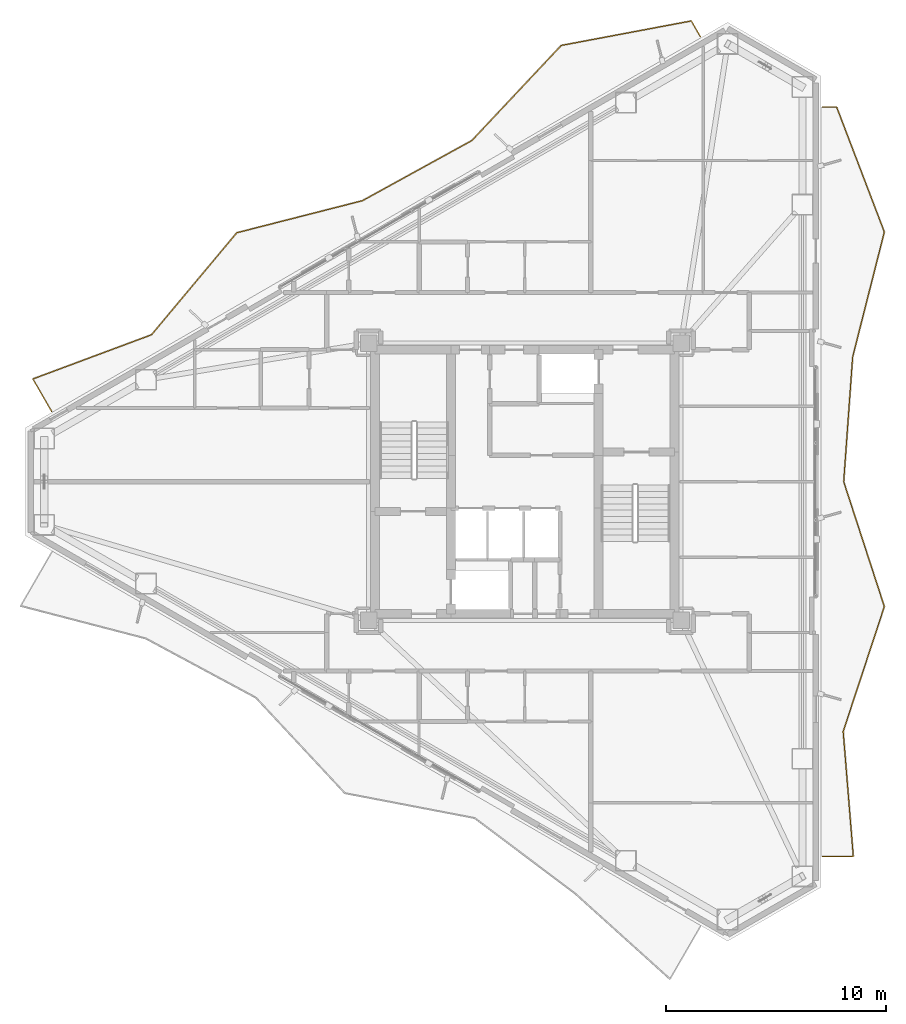
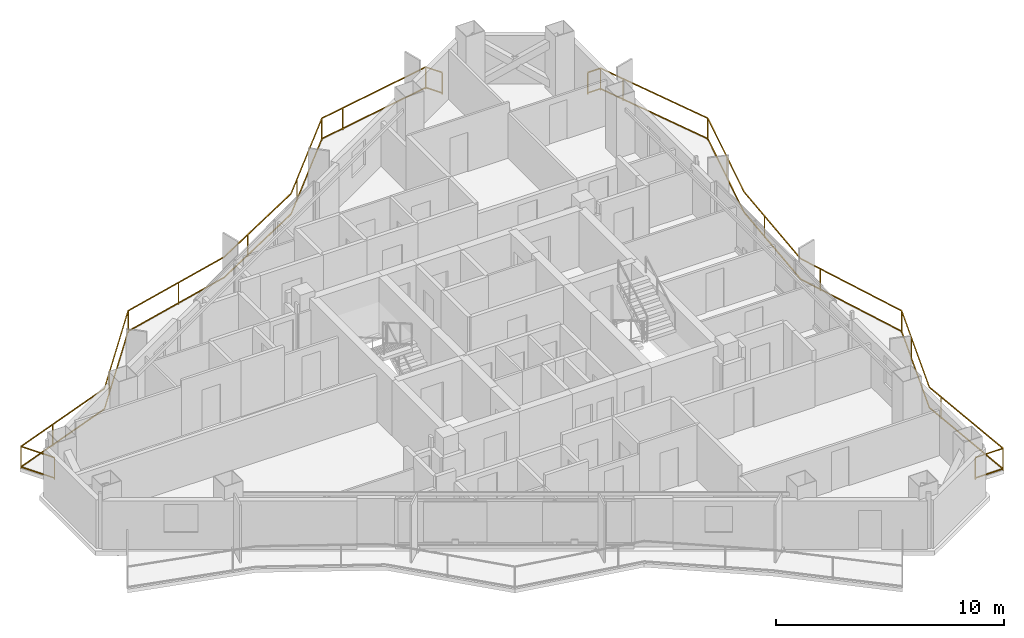
# One storey, part 18 of 18: 2 railings.
"""IFC4 building model written with IfcOpenShell, lengths in metres."""

from ifc_helpers import new_model, si_unit, direction, frame, origin, origin_2d, place, context, subcontext, project, spatial, rectangle, extrude, material, type_object, element, save


model = new_model("IFC4")

# Units and contexts
model_context = context("Model", 3, precision=1e-05, world=origin(), true_north=direction((0.0, 1.0)))
body_context = subcontext(model_context, "Body", "Model", "MODEL_VIEW")
ifc_project = project(units=[si_unit("LENGTHUNIT", "METRE"), si_unit("AREAUNIT", "SQUARE_METRE"), si_unit("VOLUMEUNIT", "CUBIC_METRE"), si_unit("PLANEANGLEUNIT", "RADIAN"), si_unit("MASSUNIT", "GRAM", prefix="KILO")], contexts=[model_context])

# Site, building, storey
site_placement = place(None, origin())
site = spatial("IfcSite", under=ifc_project, at=site_placement, CompositionType="ELEMENT")
building_placement = place(site_placement, origin())
building = spatial("IfcBuilding", under=site, at=building_placement, Name="Mersakhor Tower and Convention Hall", CompositionType="ELEMENT")
storey_placement = place(building_placement, frame((0.0, 0.0, 157.5)))
storey = spatial("IfcBuildingStorey", under=building, at=storey_placement, Name="L44", CompositionType="ELEMENT", Elevation=157.5)

# Railings
ifc_material = material(Name="Powder-coated galvanised steel and laminated glass balustrade", Category="steel")
railing_type = type_object("IfcRailingType", Name="RL-BAL-1200", PredefinedType="BALUSTRADE", material=ifc_material)
railing_1_placement = place(storey_placement, frame((36.983154296875, 46.969482421875, 0.0)))
element("IfcRailing", 1, at=railing_1_placement, inside=storey, type_object=railing_type, Name="L44 Sinusoidal Balcony Balustrade F1", PredefinedType="BALUSTRADE", context=body_context, shape_type="SweptSolid", body=[
    extrude(rectangle(XDim=0.048095703125, YDim=0.048095703125, at=origin_2d()), frame((0.0, 0.0, 1.17578125), z_axis=(-0.500002839747, 0.86602376425, 0.0), x_axis=(-0.86602376425, -0.500002839747, 0.0)), (0.0, 0.0, 1.0), 0.8291015625),
    extrude(rectangle(XDim=0.048095703125, YDim=0.048095703125, at=origin_2d()), frame((0.0, 0.0, 0.080078125), z_axis=(-0.500002839747, 0.86602376425, 0.0), x_axis=(-0.86602376425, -0.500002839747, 0.0)), (0.0, 0.0, 1.0), 0.8291015625),
    extrude(rectangle(XDim=0.048095703125, YDim=0.048095703125, at=origin_2d()), frame((-0.41455078125, 0.718017578125, 1.17578125), z_axis=(-0.982730805259, -0.18504098031, 0.0), x_axis=(0.18504098031, -0.982730805259, 0.0)), (0.0, 0.0, 1.0), 6.013671875),
    extrude(rectangle(XDim=0.048095703125, YDim=0.048095703125, at=origin_2d()), frame((-0.41455078125, 0.718017578125, 0.080078125), z_axis=(-0.982730805259, -0.18504098031, 0.0), x_axis=(0.18504098031, -0.982730805259, 0.0)), (0.0, 0.0, 1.0), 6.013671875),
    extrude(rectangle(XDim=0.048095703125, YDim=0.048095703125, at=origin_2d()), frame((-6.324462890625, -0.394775390625, 1.17578125), z_axis=(-0.6846628634, -0.728859906622, 0.0), x_axis=(0.728859906622, -0.6846628634, 0.0)), (0.0, 0.0, 1.0), 5.92724609375),
    extrude(rectangle(XDim=0.048095703125, YDim=0.048095703125, at=origin_2d()), frame((-6.324462890625, -0.394775390625, 0.080078125), z_axis=(-0.6846628634, -0.728859906622, 0.0), x_axis=(0.728859906622, -0.6846628634, 0.0)), (0.0, 0.0, 1.0), 5.92724609375),
    extrude(rectangle(XDim=0.048095703125, YDim=0.048095703125, at=origin_2d()), frame((-10.382568359375, -4.71484375, 1.17578125), z_axis=(-0.876289464142, -0.481784988385, 0.0), x_axis=(0.481784988385, -0.876289464142, 0.0)), (0.0, 0.0, 1.0), 5.675537109375),
    extrude(rectangle(XDim=0.048095703125, YDim=0.048095703125, at=origin_2d()), frame((-10.382568359375, -4.71484375, 0.080078125), z_axis=(-0.876289464142, -0.481784988385, 0.0), x_axis=(0.481784988385, -0.876289464142, 0.0)), (0.0, 0.0, 1.0), 5.675537109375),
    extrude(rectangle(XDim=0.048095703125, YDim=0.048095703125, at=origin_2d()), frame((-15.35595703125, -7.44921875, 1.17578125), z_axis=(-0.968951712512, -0.247250033002, 0.0), x_axis=(0.247250033002, -0.968951712512, 0.0)), (0.0, 0.0, 1.0), 5.89404296875),
    extrude(rectangle(XDim=0.048095703125, YDim=0.048095703125, at=origin_2d()), frame((-15.35595703125, -7.44921875, 0.080078125), z_axis=(-0.968951712512, -0.247250033002, 0.0), x_axis=(0.247250033002, -0.968951712512, 0.0)), (0.0, 0.0, 1.0), 5.89404296875),
    extrude(rectangle(XDim=0.048095703125, YDim=0.048095703125, at=origin_2d()), frame((-21.06689453125, -8.906494140625, 1.17578125), z_axis=(-0.641332144332, -0.76726337111, 0.0), x_axis=(0.76726337111, -0.641332144332, 0.0)), (0.0, 0.0, 1.0), 6.04296875),
    extrude(rectangle(XDim=0.048095703125, YDim=0.048095703125, at=origin_2d()), frame((-21.06689453125, -8.906494140625, 0.080078125), z_axis=(-0.641332144332, -0.76726337111, 0.0), x_axis=(0.76726337111, -0.641332144332, 0.0)), (0.0, 0.0, 1.0), 6.04296875),
    extrude(rectangle(XDim=0.048095703125, YDim=0.048095703125, at=origin_2d()), frame((-24.9423828125, -13.54296875, 1.17578125), z_axis=(-0.937146050203, -0.348937359118, 0.0), x_axis=(0.348937359118, -0.937146050203, 0.0)), (0.0, 0.0, 1.0), 5.7548828125),
    extrude(rectangle(XDim=0.048095703125, YDim=0.048095703125, at=origin_2d()), frame((-24.9423828125, -13.54296875, 0.080078125), z_axis=(-0.937146050203, -0.348937359118, 0.0), x_axis=(0.348937359118, -0.937146050203, 0.0)), (0.0, 0.0, 1.0), 5.7548828125),
    extrude(rectangle(XDim=0.048095703125, YDim=0.048095703125, at=origin_2d()), frame((-30.33544921875, -15.551025390625, 1.17578125), z_axis=(0.500062241894, -0.865989465428, 0.0), x_axis=(0.865989465428, 0.500062241894, 0.0)), (0.0, 0.0, 1.0), 1.699951171875),
    extrude(rectangle(XDim=0.048095703125, YDim=0.048095703125, at=origin_2d()), frame((-30.33544921875, -15.551025390625, 0.080078125), z_axis=(0.500062241894, -0.865989465428, 0.0), x_axis=(0.865989465428, 0.500062241894, 0.0)), (0.0, 0.0, 1.0), 1.699951171875),
    extrude(rectangle(XDim=0.0419921875, YDim=0.0419921875, at=origin_2d()), origin(), (0.0, 0.0, 1.0), 1.15185546875),
    extrude(rectangle(XDim=0.0419921875, YDim=0.0419921875, at=origin_2d()), frame((-0.41455078125, 0.718017578125, 0.0)), (0.0, 0.0, 1.0), 1.15185546875),
    extrude(rectangle(XDim=0.0419921875, YDim=0.0419921875, at=origin_2d()), frame((-5.131591796875, -0.170166015625, 0.0)), (0.0, 0.0, 1.0), 1.15185546875),
    extrude(rectangle(XDim=0.0419921875, YDim=0.0419921875, at=origin_2d()), frame((-6.324462890625, -0.394775390625, 0.0)), (0.0, 0.0, 1.0), 1.15185546875),
    extrude(rectangle(XDim=0.0419921875, YDim=0.0419921875, at=origin_2d()), frame((-9.61083984375, -3.893310546875, 0.0)), (0.0, 0.0, 1.0), 1.15185546875),
    extrude(rectangle(XDim=0.0419921875, YDim=0.0419921875, at=origin_2d()), frame((-13.60107421875, -6.484375, 0.0)), (0.0, 0.0, 1.0), 1.15185546875),
    extrude(rectangle(XDim=0.0419921875, YDim=0.0419921875, at=origin_2d()), frame((-18.06640625, -8.140869140625, 0.0)), (0.0, 0.0, 1.0), 1.15185546875),
    extrude(rectangle(XDim=0.0419921875, YDim=0.0419921875, at=origin_2d()), frame((-21.06689453125, -8.906494140625, 0.0)), (0.0, 0.0, 1.0), 1.15185546875),
    extrude(rectangle(XDim=0.0419921875, YDim=0.0419921875, at=origin_2d()), frame((-24.145263671875, -12.58935546875, 0.0)), (0.0, 0.0, 1.0), 1.15185546875),
    extrude(rectangle(XDim=0.0419921875, YDim=0.0419921875, at=origin_2d()), frame((-28.27587890625, -14.7841796875, 0.0)), (0.0, 0.0, 1.0), 1.15185546875),
    extrude(rectangle(XDim=0.0419921875, YDim=0.0419921875, at=origin_2d()), frame((-30.33544921875, -15.551025390625, 0.0)), (0.0, 0.0, 1.0), 1.15185546875),
    extrude(rectangle(XDim=0.0419921875, YDim=0.0419921875, at=origin_2d()), frame((-29.4853515625, -17.023193359375, 0.0)), (0.0, 0.0, 1.0), 1.15185546875),
])
railing_2_placement = place(storey_placement, frame((42.519287109375, 9.726806640625, 0.0)))
element("IfcRailing", 2, at=railing_2_placement, inside=storey, type_object=railing_type, Name="L44 Sinusoidal Balcony Balustrade F2", PredefinedType="BALUSTRADE", context=body_context, shape_type="SweptSolid", body=[
    extrude(rectangle(XDim=0.048095703125, YDim=0.048095703125, at=origin_2d()), frame((0.0, 0.0, 1.17578125), z_axis=(1.0, 0.0, 0.0), x_axis=(0.0, 1.0, 0.0)), (0.0, 0.0, 1.0), 1.408203125),
    extrude(rectangle(XDim=0.048095703125, YDim=0.048095703125, at=origin_2d()), frame((0.0, 0.0, 0.080078125), z_axis=(1.0, 0.0, 0.0), x_axis=(0.0, 1.0, 0.0)), (0.0, 0.0, 1.0), 1.408203125),
    extrude(rectangle(XDim=0.048095703125, YDim=0.048095703125, at=origin_2d()), frame((1.408203125, 0.0, 1.17578125), z_axis=(-0.080709931304, 0.996737631972, 0.0), x_axis=(-0.996737631972, -0.080709931304, 0.0)), (0.0, 0.0, 1.0), 5.69287109375),
    extrude(rectangle(XDim=0.048095703125, YDim=0.048095703125, at=origin_2d()), frame((1.408203125, 0.0, 0.080078125), z_axis=(-0.080709931304, 0.996737631972, 0.0), x_axis=(-0.996737631972, -0.080709931304, 0.0)), (0.0, 0.0, 1.0), 5.69287109375),
    extrude(rectangle(XDim=0.048095703125, YDim=0.048095703125, at=origin_2d()), frame((0.94873046875, 5.67431640625, 1.17578125), z_axis=(0.313149361438, 0.949703889342, 0.0), x_axis=(-0.949703889342, 0.313149361438, 0.0)), (0.0, 0.0, 1.0), 5.97509765625),
    extrude(rectangle(XDim=0.048095703125, YDim=0.048095703125, at=origin_2d()), frame((0.94873046875, 5.67431640625, 0.080078125), z_axis=(0.313149361438, 0.949703889342, 0.0), x_axis=(-0.949703889342, 0.313149361438, 0.0)), (0.0, 0.0, 1.0), 5.97509765625),
    extrude(rectangle(XDim=0.048095703125, YDim=0.048095703125, at=origin_2d()), frame((2.81982421875, 11.348876953125, 1.17578125), z_axis=(-0.30961701588, 0.950861348188, 0.0), x_axis=(-0.950861348188, -0.30961701588, 0.0)), (0.0, 0.0, 1.0), 5.967529296875),
    extrude(rectangle(XDim=0.048095703125, YDim=0.048095703125, at=origin_2d()), frame((2.81982421875, 11.348876953125, 0.080078125), z_axis=(-0.30961701588, 0.950861348188, 0.0), x_axis=(-0.950861348188, -0.30961701588, 0.0)), (0.0, 0.0, 1.0), 5.967529296875),
    extrude(rectangle(XDim=0.048095703125, YDim=0.048095703125, at=origin_2d()), frame((0.97216796875, 17.023193359375, 1.17578125), z_axis=(0.071625220139, 0.997431615621, 0.0), x_axis=(-0.997431615621, 0.071625220139, 0.0)), (0.0, 0.0, 1.0), 5.68896484375),
    extrude(rectangle(XDim=0.048095703125, YDim=0.048095703125, at=origin_2d()), frame((0.97216796875, 17.023193359375, 0.080078125), z_axis=(0.071625220139, 0.997431615621, 0.0), x_axis=(-0.997431615621, 0.071625220139, 0.0)), (0.0, 0.0, 1.0), 5.68896484375),
    extrude(rectangle(XDim=0.048095703125, YDim=0.048095703125, at=origin_2d()), frame((1.379638671875, 22.697509765625, 1.17578125), z_axis=(0.24588022592, 0.969300218973, 0.0), x_axis=(-0.969300218973, 0.24588022592, 0.0)), (0.0, 0.0, 1.0), 5.854248046875),
    extrude(rectangle(XDim=0.048095703125, YDim=0.048095703125, at=origin_2d()), frame((1.379638671875, 22.697509765625, 0.080078125), z_axis=(0.24588022592, 0.969300218973, 0.0), x_axis=(-0.969300218973, 0.24588022592, 0.0)), (0.0, 0.0, 1.0), 5.854248046875),
    extrude(rectangle(XDim=0.048095703125, YDim=0.048095703125, at=origin_2d()), frame((2.819091796875, 28.3720703125, 1.17578125), z_axis=(-0.356764071167, 0.934194518034, 0.0), x_axis=(-0.934194518034, -0.356764071167, 0.0)), (0.0, 0.0, 1.0), 6.073974609375),
    extrude(rectangle(XDim=0.048095703125, YDim=0.048095703125, at=origin_2d()), frame((2.819091796875, 28.3720703125, 0.080078125), z_axis=(-0.356764071167, 0.934194518034, 0.0), x_axis=(-0.934194518034, -0.356764071167, 0.0)), (0.0, 0.0, 1.0), 6.073974609375),
    extrude(rectangle(XDim=0.048095703125, YDim=0.048095703125, at=origin_2d()), frame((0.652099609375, 34.04638671875, 1.17578125), z_axis=(-1.0, 0.0, 0.0), x_axis=(0.0, -1.0, 0.0)), (0.0, 0.0, 1.0), 0.652099609375),
    extrude(rectangle(XDim=0.048095703125, YDim=0.048095703125, at=origin_2d()), frame((0.652099609375, 34.04638671875, 0.080078125), z_axis=(-1.0, 0.0, 0.0), x_axis=(0.0, -1.0, 0.0)), (0.0, 0.0, 1.0), 0.652099609375),
    extrude(rectangle(XDim=0.0419921875, YDim=0.0419921875, at=origin_2d()), origin(), (0.0, 0.0, 1.0), 1.15185546875),
    extrude(rectangle(XDim=0.0419921875, YDim=0.0419921875, at=origin_2d()), frame((1.408203125, 0.0, 0.0)), (0.0, 0.0, 1.0), 1.15185546875),
    extrude(rectangle(XDim=0.0419921875, YDim=0.0419921875, at=origin_2d()), frame((1.020751953125, 4.784423828125, 0.0)), (0.0, 0.0, 1.0), 1.15185546875),
    extrude(rectangle(XDim=0.0419921875, YDim=0.0419921875, at=origin_2d()), frame((2.172119140625, 9.385009765625, 0.0)), (0.0, 0.0, 1.0), 1.15185546875),
    extrude(rectangle(XDim=0.0419921875, YDim=0.0419921875, at=origin_2d()), frame((2.81982421875, 11.348876953125, 0.0)), (0.0, 0.0, 1.0), 1.15185546875),
    extrude(rectangle(XDim=0.0419921875, YDim=0.0419921875, at=origin_2d()), frame((1.333740234375, 15.9130859375, 0.0)), (0.0, 0.0, 1.0), 1.15185546875),
    extrude(rectangle(XDim=0.0419921875, YDim=0.0419921875, at=origin_2d()), frame((1.232421875, 20.646240234375, 0.0)), (0.0, 0.0, 1.0), 1.15185546875),
    extrude(rectangle(XDim=0.0419921875, YDim=0.0419921875, at=origin_2d()), frame((2.05419921875, 25.356689453125, 0.0)), (0.0, 0.0, 1.0), 1.15185546875),
    extrude(rectangle(XDim=0.0419921875, YDim=0.0419921875, at=origin_2d()), frame((2.819091796875, 28.3720703125, 0.0)), (0.0, 0.0, 1.0), 1.15185546875),
    extrude(rectangle(XDim=0.0419921875, YDim=0.0419921875, at=origin_2d()), frame((1.106689453125, 32.856201171875, 0.0)), (0.0, 0.0, 1.0), 1.15185546875),
    extrude(rectangle(XDim=0.0419921875, YDim=0.0419921875, at=origin_2d()), frame((0.652099609375, 34.04638671875, 0.0)), (0.0, 0.0, 1.0), 1.15185546875),
    extrude(rectangle(XDim=0.0419921875, YDim=0.0419921875, at=origin_2d()), frame((0.0, 34.04638671875, 0.0)), (0.0, 0.0, 1.0), 1.15185546875),
])

save(model, "model.ifc")
